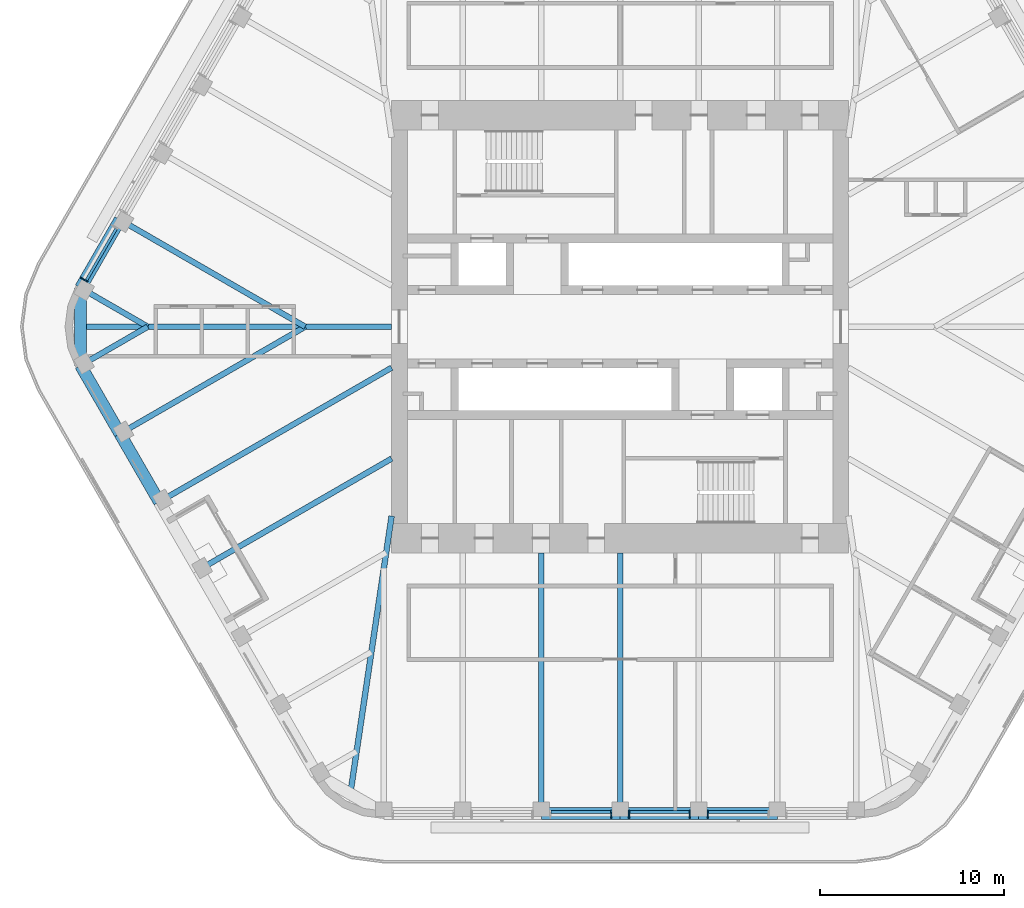
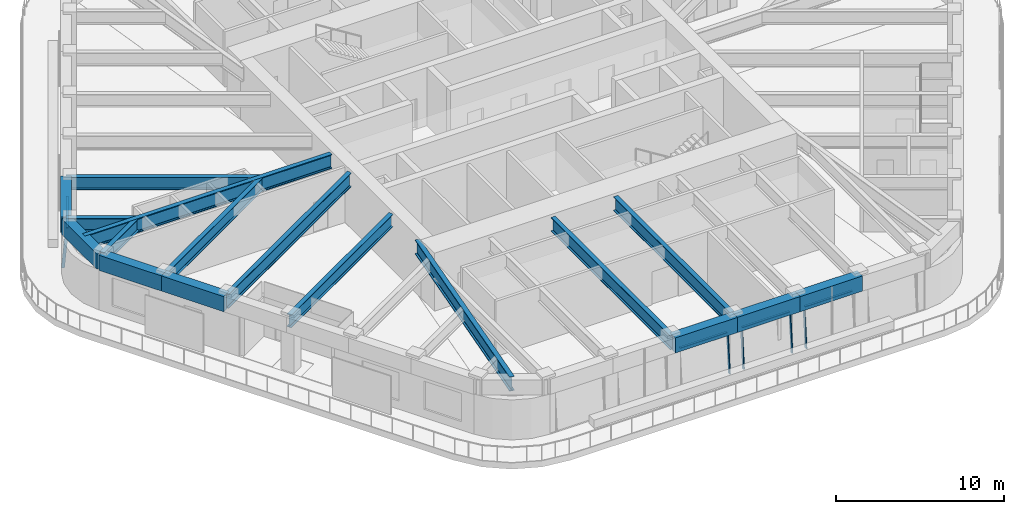
# One storey, part 3 of 19: 17 beams, 9 members, 4 elements without a shape of their own.
"""IFC4 building model written with IfcOpenShell, lengths in metres."""

from ifc_helpers import new_model, si_unit, direction, frame, origin, origin_2d, place, context, subcontext, project, spatial, rectangle, i_section, extrude, material, material_profile, profile_set, type_object, element, aggregate, save


model = new_model("IFC4")

# Units and contexts
model_context = context("Model", 3, precision=1e-05, world=origin(), true_north=direction((0.0, 1.0)))
body_context = subcontext(model_context, "Body", "Model", "MODEL_VIEW")
ifc_project = project(units=[si_unit("LENGTHUNIT", "METRE"), si_unit("AREAUNIT", "SQUARE_METRE"), si_unit("VOLUMEUNIT", "CUBIC_METRE"), si_unit("PLANEANGLEUNIT", "RADIAN"), si_unit("MASSUNIT", "GRAM", prefix="KILO")], contexts=[model_context])

# Site, building, storey
site_placement = place(None, origin())
site = spatial("IfcSite", under=ifc_project, at=site_placement, CompositionType="ELEMENT")
building_placement = place(site_placement, origin())
building = spatial("IfcBuilding", under=site, at=building_placement, Name="Tarfa Lantern Tower", CompositionType="ELEMENT")
storey_placement = place(building_placement, frame((0.0, 0.0, 353.5)))
storey = spatial("IfcBuildingStorey", under=building, at=storey_placement, Name="L80", CompositionType="ELEMENT", Elevation=353.5)

# Curtain wall, member
ifc_material_1 = material(Name="Aluminium framed curtain wall", Category="aluminium")
curtain_wall_type = type_object("IfcCurtainWallType", Name="CW4 CANTED GLAZING EXECUTIVE ZONE 2900", PredefinedType="USERDEFINED", material=ifc_material_1)
curtain_wall_1_placement = place(storey_placement, origin())
curtain_wall_1 = element("IfcCurtainWall", 1, at=curtain_wall_1_placement, inside=storey, type_object=curtain_wall_type, Name="CW4 NW L80", ObjectType="CURTAIN WALL", PredefinedType="USERDEFINED")
ifc_material_2 = material(Name="Aluminium mullion", Category="aluminium")
ifc_material_profile_1 = material_profile(ifc_material_2, rectangle(XDim=0.06494140625, YDim=0.199951171875, at=origin_2d()), Name="AL MULLION 65x200")
ifc_profile_set_1 = profile_set([ifc_material_profile_1], Name="Aluminium mullion")
member_type_1 = type_object("IfcMemberType", Name="CWM1 MULLION 65x200", PredefinedType="MULLION", material=ifc_profile_set_1)
member_1_placement = place(storey_placement, frame((-29.26123046875, 2.617919921875, 0.0), z_axis=(0.074316405553, -0.042945823525, 0.996309554359), x_axis=(0.500342721131, 0.865827443207, 0.0)))
member_1 = element("IfcMember", 2, at=member_1_placement, type_object=member_type_1, Name="CW4 mullion 2", PredefinedType="MULLION", context=body_context, shape_type="SweptSolid", body=[
    extrude(rectangle(XDim=0.06494140625, YDim=0.199951171875, at=origin_2d()), origin(), (0.0, 0.0, 1.0), 2.91064453125),
])

curtain_wall_2_placement = place(storey_placement, origin())
curtain_wall_2 = element("IfcCurtainWall", 3, at=curtain_wall_2_placement, inside=storey, type_object=curtain_wall_type, Name="CW4 S L80", ObjectType="CURTAIN WALL", PredefinedType="USERDEFINED")
member_2_placement = place(storey_placement, frame((-0.482421875, -26.64990234375, 0.0), z_axis=(0.0, 0.085891213166, 0.99630452147), x_axis=(-1.0, 0.0, 0.0)))
member_2 = element("IfcMember", 4, at=member_2_placement, type_object=member_type_1, Name="CW4 mullion 2", PredefinedType="MULLION", context=body_context, shape_type="SweptSolid", body=[
    extrude(rectangle(XDim=0.06494140625, YDim=0.199951171875, at=origin_2d()), origin(), (0.0, 0.0, 1.0), 2.91064453125),
])

# Curtain wall, members
curtain_wall_3_placement = place(storey_placement, origin())
curtain_wall_3 = element("IfcCurtainWall", 5, at=curtain_wall_3_placement, inside=storey, type_object=curtain_wall_type, Name="CW4 S L80", ObjectType="CURTAIN WALL", PredefinedType="USERDEFINED")
member_3_placement = place(storey_placement, frame((0.482421875, -26.64990234375, 0.0), z_axis=(0.0, 0.085891213166, 0.99630452147), x_axis=(-1.0, 0.0, 0.0)))
member_3 = element("IfcMember", 6, at=member_3_placement, type_object=member_type_1, Name="CW4 mullion 1", PredefinedType="MULLION", context=body_context, shape_type="SweptSolid", body=[
    extrude(rectangle(XDim=0.06494140625, YDim=0.199951171875, at=origin_2d()), origin(), (0.0, 0.0, 1.0), 2.91064453125),
])
member_4_placement = place(storey_placement, frame((3.799560546875, -26.64990234375, 0.0), z_axis=(0.0, 0.085891213166, 0.99630452147), x_axis=(-1.0, 0.0, 0.0)))
member_4 = element("IfcMember", 7, at=member_4_placement, type_object=member_type_1, Name="CW4 mullion 2", PredefinedType="MULLION", context=body_context, shape_type="SweptSolid", body=[
    extrude(rectangle(XDim=0.06494140625, YDim=0.199951171875, at=origin_2d()), origin(), (0.0, 0.0, 1.0), 2.91064453125),
])

# Curtain wall, member
curtain_wall_4_placement = place(storey_placement, origin())
curtain_wall_4 = element("IfcCurtainWall", 8, at=curtain_wall_4_placement, inside=storey, type_object=curtain_wall_type, Name="CW4 S L80", ObjectType="CURTAIN WALL", PredefinedType="USERDEFINED")
member_5_placement = place(storey_placement, frame((4.764404296875, -26.64990234375, 0.0), z_axis=(0.0, 0.085891213166, 0.99630452147), x_axis=(-1.0, 0.0, 0.0)))
member_5 = element("IfcMember", 9, at=member_5_placement, type_object=member_type_1, Name="CW4 mullion 1", PredefinedType="MULLION", context=body_context, shape_type="SweptSolid", body=[
    extrude(rectangle(XDim=0.06494140625, YDim=0.199951171875, at=origin_2d()), origin(), (0.0, 0.0, 1.0), 2.91064453125),
])

# Member
ifc_material_3 = material(Name="Aluminium transom", Category="aluminium")
ifc_material_profile_2 = material_profile(ifc_material_3, rectangle(XDim=0.14990234375, YDim=0.06494140625, at=origin_2d()), Name="AL TRANSOM 150x65")
ifc_profile_set_2 = profile_set([ifc_material_profile_2], Name="Aluminium transom")
member_type_2 = type_object("IfcMemberType", Name="CWT1 TRANSOM 150x65", PredefinedType="USERDEFINED", material=ifc_profile_set_2)
member_6_placement = place(storey_placement, frame((-27.405029296875, 5.338623046875, 2.867431640625), z_axis=(-0.500014901547, -0.866016800201, 0.0), x_axis=(0.866016800201, -0.500014901547, 0.0)))
member_6 = element("IfcMember", 10, at=member_6_placement, type_object=member_type_2, Name="CW4 transom 1.2", ObjectType="TRANSOM", PredefinedType="USERDEFINED", context=body_context, shape_type="SweptSolid", body=[
    extrude(rectangle(XDim=0.14990234375, YDim=0.06494140625, at=origin_2d()), origin(), (0.0, 0.0, 1.0), 3.251953125),
])

aggregate(curtain_wall_1, [member_1, member_6])

member_7_placement = place(storey_placement, frame((-3.76708984375, -26.40283203125, 2.867431640625), z_axis=(1.0, 0.0, 0.0), x_axis=(0.0, 1.0, 0.0)))
member_7 = element("IfcMember", 11, at=member_7_placement, type_object=member_type_2, Name="CW4 transom 1.2", ObjectType="TRANSOM", PredefinedType="USERDEFINED", context=body_context, shape_type="SweptSolid", body=[
    extrude(rectangle(XDim=0.14990234375, YDim=0.06494140625, at=origin_2d()), origin(), (0.0, 0.0, 1.0), 3.252197265625),
])

aggregate(curtain_wall_2, [member_2, member_7])

member_8_placement = place(storey_placement, frame((0.514892578125, -26.40283203125, 2.867431640625), z_axis=(1.0, 0.0, 0.0), x_axis=(0.0, 1.0, 0.0)))
member_8 = element("IfcMember", 12, at=member_8_placement, type_object=member_type_2, Name="CW4 transom 1.2", ObjectType="TRANSOM", PredefinedType="USERDEFINED", context=body_context, shape_type="SweptSolid", body=[
    extrude(rectangle(XDim=0.14990234375, YDim=0.06494140625, at=origin_2d()), origin(), (0.0, 0.0, 1.0), 3.252197265625),
])

aggregate(curtain_wall_3, [member_3, member_4, member_8])

member_9_placement = place(storey_placement, frame((4.797119140625, -26.40283203125, 2.867431640625), z_axis=(1.0, 0.0, 0.0), x_axis=(0.0, 1.0, 0.0)))
member_9 = element("IfcMember", 13, at=member_9_placement, type_object=member_type_2, Name="CW4 transom 1.2", ObjectType="TRANSOM", PredefinedType="USERDEFINED", context=body_context, shape_type="SweptSolid", body=[
    extrude(rectangle(XDim=0.14990234375, YDim=0.06494140625, at=origin_2d()), origin(), (0.0, 0.0, 1.0), 3.251953125),
])

aggregate(curtain_wall_4, [member_5, member_9])

# Beams
ifc_material_4 = material(Name="Concrete C80/95", Category="concrete")
ifc_material_profile_3 = material_profile(ifc_material_4, rectangle(XDim=0.64990234375, YDim=1.10009765625, at=origin_2d()), Name="RC 650x1100")
ifc_profile_set_3 = profile_set([ifc_material_profile_3], Name="Concrete C80/95")
beam_type_1 = type_object("IfcBeamType", Name="EB4 RC 650x1100", PredefinedType="SPANDREL", material=ifc_profile_set_3)
beam_1_placement = place(storey_placement, frame((-27.205810546875, 5.818359375, 3.449951171875), z_axis=(-0.499984039138, -0.866034618596, 0.0), x_axis=(0.866034618596, -0.499984039138, 0.0)))
element("IfcBeam", 14, at=beam_1_placement, inside=storey, type_object=beam_type_1, Name="Edge beam NW5", PredefinedType="SPANDREL", context=body_context, shape_type="SweptSolid", body=[
    extrude(rectangle(XDim=0.64990234375, YDim=1.10009765625, at=origin_2d()), origin(), (0.0, 0.0, 1.0), 4.281982421875),
])
beam_2_placement = place(storey_placement, frame((-29.3466796875, 2.110107421875, 3.449951171875), z_axis=(0.0, -1.0, 0.0), x_axis=(1.0, 0.0, 0.0)))
element("IfcBeam", 15, at=beam_2_placement, inside=storey, type_object=beam_type_1, Name="Edge beam NW6", PredefinedType="SPANDREL", context=body_context, shape_type="SweptSolid", body=[
    extrude(rectangle(XDim=0.64990234375, YDim=1.10009765625, at=origin_2d()), origin(), (0.0, 0.0, 1.0), 4.22021484375),
])
for number, where, z_axis, x_axis, name in (
    (16, (-29.3466796875, -2.110107421875, 3.449951171875), (0.499984039138, -0.866034618596, 0.0), (0.866034618596, 0.499984039138, 0.0), "Edge beam SW0"),
    (17, (-27.205810546875, -5.818359375, 3.449951171875), (0.500026801138, -0.866009929587, 0.0), (0.866009929587, 0.500026801138, 0.0), "Edge beam SW1"),
    (18, (-4.281982421875, -26.469970703125, 3.449951171875), (1.0, 0.0, 0.0), (0.0, 1.0, 0.0), "Edge beam S2"),
    (19, (0.0, -26.469970703125, 3.449951171875), (1.0, 0.0, 0.0), (0.0, 1.0, 0.0), "Edge beam S3"),
    (20, (4.281982421875, -26.469970703125, 3.449951171875), (1.0, 0.0, 0.0), (0.0, 1.0, 0.0), "Edge beam S4"),
):
    element("IfcBeam", number, at=place(storey_placement, frame(where, z_axis=z_axis, x_axis=x_axis)), inside=storey, type_object=beam_type_1, Name=name, PredefinedType="SPANDREL", context=body_context, shape_type="SweptSolid", body=[
        extrude(rectangle(XDim=0.64990234375, YDim=1.10009765625, at=origin_2d()), origin(), (0.0, 0.0, 1.0), 4.281982421875),
    ])
ifc_material_5 = material(Name="Steel S460M", Category="steel")
ifc_material_profile_4 = material_profile(ifc_material_5, i_section(OverallWidth=0.302001953125, OverallDepth=1.008056640625, WebThickness=0.02099609375, FlangeThickness=0.0400390625, FilletRadius=0.030029296875, at=origin_2d()), Name="UB1016x305x349")
ifc_profile_set_4 = profile_set([ifc_material_profile_4], Name="Steel S460M")
beam_type_2 = type_object("IfcBeamType", Name="UB1016x305x349", PredefinedType="BEAM", material=ifc_profile_set_4)
beam_3_placement = place(storey_placement, frame((-25.064697265625, -9.526611328125, 3.495849609375), z_axis=(0.866029591389, 0.499992746786, 0.0), x_axis=(-0.499992746786, 0.866029591389, 0.0)))
element("IfcBeam", 21, at=beam_3_placement, inside=storey, type_object=beam_type_2, Name="Floor beam SW2", PredefinedType="BEAM", context=body_context, shape_type="SweptSolid", body=[
    extrude(i_section(OverallWidth=0.302001953125, OverallDepth=1.008056640625, WebThickness=0.02099609375, FlangeThickness=0.0400390625, FilletRadius=0.030029296875, at=origin_2d()), origin(), (0.0, 0.0, 1.0), 14.594970703125),
])
for number, where, z_axis, x_axis, name in (
    (22, (-4.281982421875, -26.469970703125, 3.495849609375), (0.0, 1.0, 0.0), (-1.0, 0.0, 0.0), "Floor beam S2"),
    (23, (0.0, -26.469970703125, 3.495849609375), (0.0, 1.0, 0.0), (-1.0, 0.0, 0.0), "Floor beam S3"),
):
    element("IfcBeam", number, at=place(storey_placement, frame(where, z_axis=z_axis, x_axis=x_axis)), inside=storey, type_object=beam_type_2, Name=name, PredefinedType="BEAM", context=body_context, shape_type="SweptSolid", body=[
        extrude(i_section(OverallWidth=0.302001953125, OverallDepth=1.008056640625, WebThickness=0.02099609375, FlangeThickness=0.0400390625, FilletRadius=0.030029296875, at=origin_2d()), origin(), (0.0, 0.0, 1.0), 14.169921875),
    ])
ifc_material_profile_5 = material_profile(ifc_material_5, i_section(OverallWidth=0.30859375, OverallDepth=1.036376953125, WebThickness=0.030029296875, FlangeThickness=0.05419921875, FilletRadius=0.030029296875, at=origin_2d()), Name="UB1016x305x487")
ifc_profile_set_5 = profile_set([ifc_material_profile_5], Name="Steel S460M")
beam_type_3 = type_object("IfcBeamType", Name="UB1016x305x487", PredefinedType="BEAM", material=ifc_profile_set_5)
beam_4_placement = place(storey_placement, frame((-12.425048828125, 0.0, 3.48193359375), z_axis=(-1.0, 0.0, 0.0), x_axis=(0.0, -1.0, 0.0)))
element("IfcBeam", 24, at=beam_4_placement, inside=storey, type_object=beam_type_3, Name="Hip girder W", PredefinedType="BEAM", context=body_context, shape_type="SweptSolid", body=[
    extrude(i_section(OverallWidth=0.30859375, OverallDepth=1.036376953125, WebThickness=0.030029296875, FlangeThickness=0.05419921875, FilletRadius=0.030029296875, at=origin_2d()), origin(), (0.0, 0.0, 1.0), 16.921630859375),
])
beam_5_placement = place(storey_placement, frame((-12.425048828125, -10.300048828125, 3.48193359375), z_axis=(-0.147127069073, -0.989117599452, 0.0), x_axis=(0.989117599452, -0.147127069073, 0.0)))
element("IfcBeam", 25, at=beam_5_placement, inside=storey, type_object=beam_type_3, Name="Hip girder SW", PredefinedType="BEAM", context=body_context, shape_type="SweptSolid", body=[
    extrude(i_section(OverallWidth=0.30859375, OverallDepth=1.036376953125, WebThickness=0.030029296875, FlangeThickness=0.05419921875, FilletRadius=0.030029296875, at=origin_2d()), origin(), (0.0, 0.0, 1.0), 15.28125),
])
ifc_material_profile_6 = material_profile(ifc_material_5, i_section(OverallWidth=0.305419921875, OverallDepth=0.91845703125, WebThickness=0.017333984375, FlangeThickness=0.02783203125, FilletRadius=0.01904296875, at=origin_2d()), Name="UB914x305x253")
ifc_profile_set_6 = profile_set([ifc_material_profile_6], Name="Steel S460M")
beam_type_4 = type_object("IfcBeamType", Name="UB914x305x253", PredefinedType="BEAM", material=ifc_profile_set_6)
beam_6_placement = place(storey_placement, frame((-27.205810546875, 5.818359375, 3.540771484375), z_axis=(0.866024171998, -0.500002133511, 0.0), x_axis=(0.500002133511, 0.866024171998, 0.0)))
element("IfcBeam", 26, at=beam_6_placement, inside=storey, type_object=beam_type_4, Name="Floor beam NW5", PredefinedType="BEAM", context=body_context, shape_type="SweptSolid", body=[
    extrude(i_section(OverallWidth=0.305419921875, OverallDepth=0.91845703125, WebThickness=0.017333984375, FlangeThickness=0.02783203125, FilletRadius=0.01904296875, at=origin_2d()), origin(), (0.0, 0.0, 1.0), 11.63671875),
])
for number, where, z_axis, x_axis, name in (
    (27, (-29.3466796875, 2.110107421875, 3.540771484375), (0.866009274789, -0.500027935199, 0.0), (0.500027935199, 0.866009274789, 0.0), "Floor beam NW6"),
    (28, (-29.3466796875, -2.110107421875, 3.540771484375), (0.866009274789, 0.500027935199, 0.0), (-0.500027935199, 0.866009274789, 0.0), "Floor beam SW0"),
):
    element("IfcBeam", number, at=place(storey_placement, frame(where, z_axis=z_axis, x_axis=x_axis)), inside=storey, type_object=beam_type_4, Name=name, PredefinedType="BEAM", context=body_context, shape_type="SweptSolid", body=[
        extrude(i_section(OverallWidth=0.305419921875, OverallDepth=0.91845703125, WebThickness=0.017333984375, FlangeThickness=0.02783203125, FilletRadius=0.01904296875, at=origin_2d()), origin(), (0.0, 0.0, 1.0), 4.219970703125),
    ])
beam_7_placement = place(storey_placement, frame((-27.205810546875, -5.818359375, 3.540771484375), z_axis=(0.866024171998, 0.500002133511, 0.0), x_axis=(-0.500002133511, 0.866024171998, 0.0)))
element("IfcBeam", 29, at=beam_7_placement, inside=storey, type_object=beam_type_4, Name="Floor beam SW1", PredefinedType="BEAM", context=body_context, shape_type="SweptSolid", body=[
    extrude(i_section(OverallWidth=0.305419921875, OverallDepth=0.91845703125, WebThickness=0.017333984375, FlangeThickness=0.02783203125, FilletRadius=0.01904296875, at=origin_2d()), origin(), (0.0, 0.0, 1.0), 11.63671875),
])
beam_8_placement = place(storey_placement, frame((-22.923583984375, -13.235107421875, 3.540771484375), z_axis=(0.86601856927, 0.500011837539, 0.0), x_axis=(-0.500011837539, 0.86601856927, 0.0)))
element("IfcBeam", 30, at=beam_8_placement, inside=storey, type_object=beam_type_4, Name="Floor beam SW3", PredefinedType="BEAM", context=body_context, shape_type="SweptSolid", body=[
    extrude(i_section(OverallWidth=0.305419921875, OverallDepth=0.91845703125, WebThickness=0.017333984375, FlangeThickness=0.02783203125, FilletRadius=0.01904296875, at=origin_2d()), origin(), (0.0, 0.0, 1.0), 12.122802734375),
])

save(model, "model.ifc")
